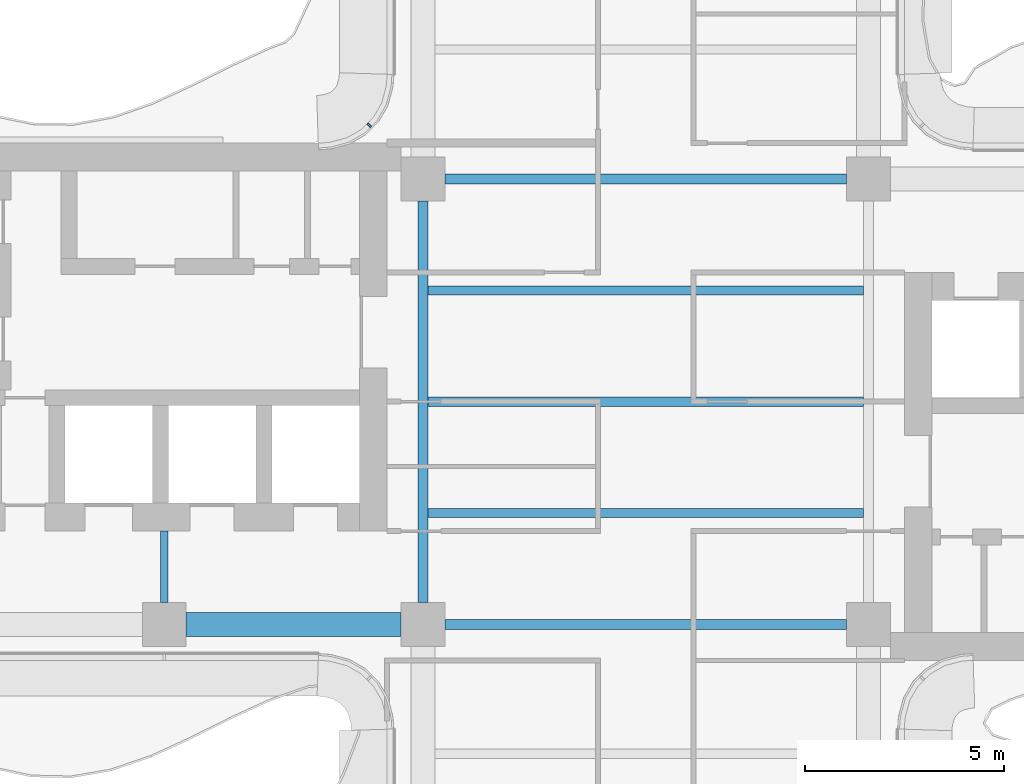
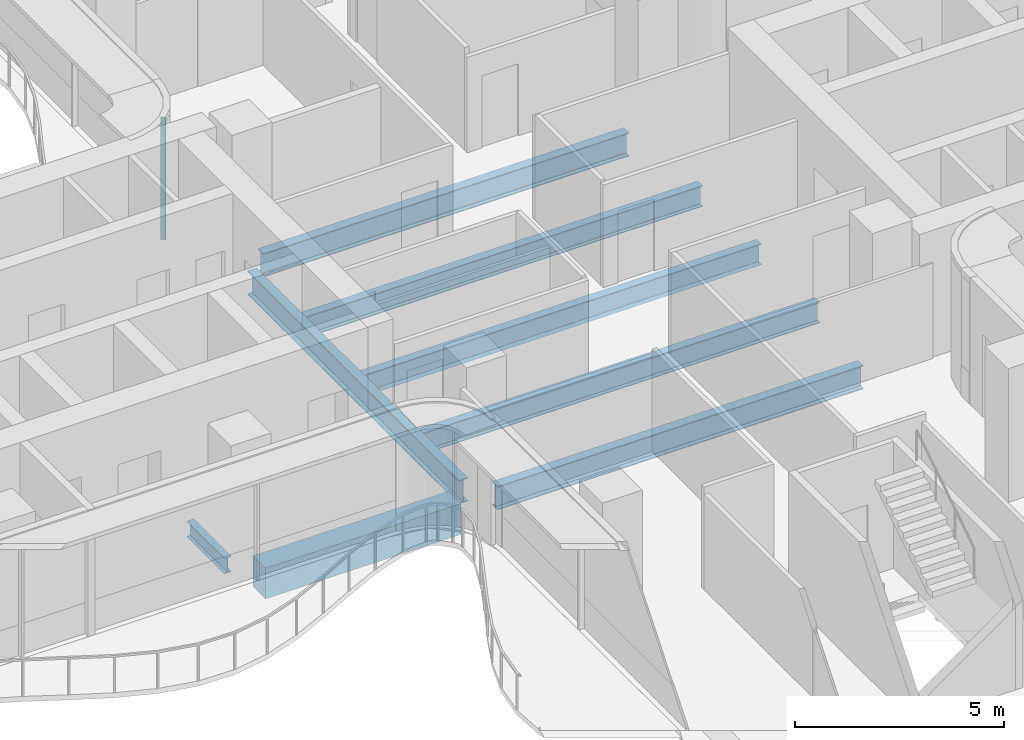
# One storey, part 4 of 17: 8 beams, 1 member, 1 element without a shape of its own.
"""IFC4 building model written with IfcOpenShell, lengths in metres."""

import ifcopenshell
import ifcopenshell.guid

model = None  # the IFC model being written
_history = None  # IfcOwnerHistory: only IFC2X3 demands one
_inside = {}  # id of a spatial element -> (the spatial element, [elements in it])
_under = {}  # id of a project, library or spatial element -> (it, [spatial elements below it])
_declared = {}  # id of a project -> (the project, [libraries it declares])
_typed = {}  # id of a type object -> (the type object, [elements of that type])
_made_of = {}  # id of a material, layer set ... -> (it, [elements and type objects made of it])


def new_model(schema):
    """Start an empty IFC model of exactly this schema.

    Asked for "IFC4X3", IfcOpenShell would pick the latest addendum, in which some entities
    have other attributes; the version numbers below select the first issue.
    IFC2X3 requires an IfcOwnerHistory on every rooted entity: one is made here for all.
    """
    global model, _history
    if schema == "IFC4X3":
        model = ifcopenshell.file(schema_version=(4, 3, 0, 0))
    else:
        model = ifcopenshell.file(schema=schema)
    _inside.clear()
    _under.clear()
    _declared.clear()
    _typed.clear()
    _made_of.clear()
    _history = None
    if model.schema == "IFC2X3":
        org = make("IfcOrganization", Name="unknown")
        user = make(
            "IfcPersonAndOrganization",
            ThePerson=make("IfcPerson", FamilyName="unknown"),
            TheOrganization=org,
        )
        app = make(
            "IfcApplication",
            ApplicationDeveloper=org,
            Version="unknown",
            ApplicationFullName="unknown",
            ApplicationIdentifier="unknown",
        )
        _history = make(
            "IfcOwnerHistory",
            OwningUser=user,
            OwningApplication=app,
            ChangeAction="ADDED",
            CreationDate=0,
        )
    return model


def make(cls, **values):
    """One entity of the class cls with the attributes given. An attribute that is None is left unset."""
    return model.create_entity(
        cls, **{name: value for name, value in values.items() if value is not None}
    )


def rooted(cls, **values):
    """An entity with a GlobalId (a new one), such as an element, a storey or a relation."""
    return make(cls, GlobalId=ifcopenshell.guid.new(), OwnerHistory=_history, **values)


def si_unit(unit_type, name, prefix=None):
    """IfcSIUnit, for example si_unit("LENGTHUNIT", "METRE", prefix="MILLI")."""
    return make("IfcSIUnit", UnitType=unit_type, Prefix=prefix, Name=name)


def assignment(units):
    """IfcUnitAssignment: the units of a project."""
    return None if units is None else make("IfcUnitAssignment", Units=units)


def point(xyz):
    """IfcCartesianPoint."""
    return None if xyz is None else make("IfcCartesianPoint", Coordinates=xyz)


def direction(xyz):
    """IfcDirection."""
    return None if xyz is None else make("IfcDirection", DirectionRatios=xyz)


def frame(location, z_axis=None, x_axis=None):
    """IfcAxis2Placement3D, a coordinate frame: its origin and axes. An axis left out is left unset."""
    return make(
        "IfcAxis2Placement3D",
        Location=point(location),
        Axis=direction(z_axis),
        RefDirection=direction(x_axis),
    )


def frame_2d(location, x_axis=None):
    """IfcAxis2Placement2D, a coordinate frame in the plane: its origin and x axis."""
    return make(
        "IfcAxis2Placement2D", Location=point(location), RefDirection=direction(x_axis)
    )


def origin():
    """The frame at (0, 0, 0) with its axes left unset."""
    return frame((0.0, 0.0, 0.0))


def origin_2d():
    """The frame at (0, 0) in the plane with its x axis left unset."""
    return frame_2d((0.0, 0.0))


def place(relative_to, where):
    """IfcLocalPlacement: puts the frame where relative to a parent placement (None: the world)."""
    return make(
        "IfcLocalPlacement", PlacementRelTo=relative_to, RelativePlacement=where
    )


def context(
    kind, dimensions, precision=None, world=None, true_north=None, identifier=None
):
    """IfcGeometricRepresentationContext, for example the 3D "Model" context."""
    return make(
        "IfcGeometricRepresentationContext",
        ContextIdentifier=identifier,
        ContextType=kind,
        CoordinateSpaceDimension=dimensions,
        Precision=precision,
        WorldCoordinateSystem=world,
        TrueNorth=true_north,
    )


def subcontext(parent, identifier, kind, view, scale=None):
    """IfcGeometricRepresentationSubContext, for example "Body" below "Model"."""
    return make(
        "IfcGeometricRepresentationSubContext",
        ContextIdentifier=identifier,
        ContextType=kind,
        ParentContext=parent,
        TargetScale=scale,
        TargetView=view,
    )


def project(units=None, contexts=None):
    """IfcProject with its units and contexts."""
    return rooted(
        "IfcProject",
        Name="project",
        RepresentationContexts=contexts,
        UnitsInContext=assignment(units),
    )


def spatial(cls, under=None, at=None, **own):
    """A site, building, storey or space (cls), placed at a placement, below another one or the project."""
    s = rooted(cls, ObjectPlacement=at, **own)
    if under is not None:
        _under.setdefault(under.id(), (under, []))[1].append(s)
    return s


def profile(cls, at=None, kind="AREA", **sizes):
    """A parametric profile (cls). Its sizes go by their IFC names, for example OverallWidth=200.0."""
    return make(cls, ProfileType=kind, Position=at, **sizes)


def rectangle(**sizes):
    """IfcRectangleProfileDef."""
    return profile("IfcRectangleProfileDef", **sizes)


def i_section(**sizes):
    """IfcIShapeProfileDef."""
    return profile("IfcIShapeProfileDef", **sizes)


def extrude(swept, where, along, depth):
    """IfcExtrudedAreaSolid: the profile swept, set in the frame where, extruded along a direction by depth."""
    return make(
        "IfcExtrudedAreaSolid",
        SweptArea=swept,
        Position=where,
        ExtrudedDirection=direction(along),
        Depth=depth,
    )


def shape(context_of_items, identifier, shape_type, items):
    """IfcShapeRepresentation: the items that make up one representation, for example the "Body"."""
    return make(
        "IfcShapeRepresentation",
        ContextOfItems=context_of_items,
        RepresentationIdentifier=identifier,
        RepresentationType=shape_type,
        Items=items,
    )


def source(mapping_origin, context_of_items, identifier, shape_type, items):
    """IfcRepresentationMap: a shape defined once, which mapped items show again and again."""
    return make(
        "IfcRepresentationMap",
        MappingOrigin=mapping_origin,
        MappedRepresentation=shape(context_of_items, identifier, shape_type, items),
    )


def transform(
    local_origin,
    x_axis=None,
    y_axis=None,
    z_axis=None,
    scale=None,
    scale2=None,
    scale3=None,
    uniform=True,
):
    """IfcCartesianTransformationOperator3D, or its non-uniform kind. x_axis, y_axis, z_axis: its Axis1, 2, 3."""
    if uniform:
        return make(
            "IfcCartesianTransformationOperator3D",
            Axis1=direction(x_axis),
            Axis2=direction(y_axis),
            LocalOrigin=point(local_origin),
            Scale=scale,
            Axis3=direction(z_axis),
        )
    return make(
        "IfcCartesianTransformationOperator3DnonUniform",
        Axis1=direction(x_axis),
        Axis2=direction(y_axis),
        LocalOrigin=point(local_origin),
        Scale=scale,
        Axis3=direction(z_axis),
        Scale2=scale2,
        Scale3=scale3,
    )


def mapped(mapping_source, mapping_target):
    """IfcMappedItem: shows the shape of a source again, moved by a transform."""
    return make(
        "IfcMappedItem", MappingSource=mapping_source, MappingTarget=mapping_target
    )


def material(Name=None, Category=None):
    """IfcMaterial."""
    return make("IfcMaterial", Name=Name, Category=Category)


def layer(
    of_material, thickness, ventilated=None, Name=None, Category=None, Priority=None
):
    """IfcMaterialLayer: one layer of a wall or slab, of a material (None: an air gap)."""
    return make(
        "IfcMaterialLayer",
        Material=of_material,
        LayerThickness=thickness,
        IsVentilated=ventilated,
        Name=Name,
        Category=Category,
        Priority=Priority,
    )


def layer_set(layers, Name=None):
    """IfcMaterialLayerSet."""
    return make("IfcMaterialLayerSet", MaterialLayers=layers, LayerSetName=Name)


def material_profile(
    of_material, cross_section, Name=None, Category=None, Priority=None
):
    """IfcMaterialProfile: a cross section and its material."""
    return make(
        "IfcMaterialProfile",
        Name=Name,
        Material=of_material,
        Profile=cross_section,
        Priority=Priority,
        Category=Category,
    )


def profile_set(profiles, Name=None, composite=None):
    """IfcMaterialProfileSet."""
    return make(
        "IfcMaterialProfileSet",
        Name=Name,
        MaterialProfiles=profiles,
        CompositeProfile=composite,
    )


def made_of(thing, what):
    """Note that an element or type object is made of a material, layer set ...; save() writes the relation."""
    if what is not None:
        _made_of.setdefault(what.id(), (what, []))[1].append(thing)
    return thing


def type_object(cls, material=None, **own):
    """A type object (cls), such as IfcWallType, which elements share."""
    return made_of(rooted(cls, **own), material)


def element(
    cls,
    number,
    at=None,
    inside=None,
    cuts=None,
    type_object=None,
    material=None,
    context=None,
    identifier="Body",
    shape_type=None,
    held_by="IfcProductDefinitionShape",
    body=None,
    shapes=None,
    **own,
):
    """One element of the class cls, such as IfcWall. Its Tag is "e" and its number.

    at: its placement. inside: the storey or other place that contains it. cuts: it is an
    opening in that element (IfcRelVoidsElement). A single representation is given by context,
    identifier, shape_type and body (its items); several are given by shapes. held_by: the class
    of the entity that holds the representations. save() writes the other relations.
    """
    e = rooted(cls, Tag="e%d" % number, ObjectPlacement=at, **own)
    if body is not None:
        shapes = [shape(context, identifier, shape_type, body)]
    if shapes is not None:
        e.Representation = make(held_by, Representations=shapes)
    if inside is not None:
        _inside.setdefault(inside.id(), (inside, []))[1].append(e)
    if cuts is not None:
        rooted(
            "IfcRelVoidsElement", RelatingBuildingElement=cuts, RelatedOpeningElement=e
        )
    if type_object is not None:
        _typed.setdefault(type_object.id(), (type_object, []))[1].append(e)
    return made_of(e, material)


def aggregate(whole, parts):
    """IfcRelAggregates: a whole, such as a stair, and the parts it consists of."""
    return rooted("IfcRelAggregates", RelatingObject=whole, RelatedObjects=parts)


def save(model, path):
    """Write the relations noted so far, then the file.

    IfcRelAggregates (storeys below a building ...), IfcRelContainedInSpatialStructure (elements
    in a storey), IfcRelDefinesByType, IfcRelAssociatesMaterial and IfcRelDeclares: one each for
    every whole, place, type object, material and project.
    """
    for whole, parts in _under.values():
        aggregate(whole, parts)
    for where, things in _inside.values():
        rooted(
            "IfcRelContainedInSpatialStructure",
            RelatedElements=things,
            RelatingStructure=where,
        )
    for kind, things in _typed.values():
        rooted("IfcRelDefinesByType", RelatedObjects=things, RelatingType=kind)
    for what, things in _made_of.values():
        rooted("IfcRelAssociatesMaterial", RelatedObjects=things, RelatingMaterial=what)
    for by, libraries in _declared.values():
        rooted("IfcRelDeclares", RelatingContext=by, RelatedDefinitions=libraries)
    model.write(path)


model = new_model("IFC4")

# Units and contexts
model_context = context("Model", 3, precision=1e-05, world=origin(), true_north=direction((0.0, 1.0)))
body_context = subcontext(model_context, "Body", "Model", "MODEL_VIEW")
ifc_project = project(units=[si_unit("LENGTHUNIT", "METRE"), si_unit("AREAUNIT", "SQUARE_METRE"), si_unit("VOLUMEUNIT", "CUBIC_METRE"), si_unit("PLANEANGLEUNIT", "RADIAN"), si_unit("MASSUNIT", "GRAM", prefix="KILO")], contexts=[model_context])

# Site, building, storey
site_placement = place(None, origin())
site = spatial("IfcSite", under=ifc_project, at=site_placement, CompositionType="ELEMENT")
building_placement = place(site_placement, origin())
building = spatial("IfcBuilding", under=site, at=building_placement, Name="Trellis Farm Tower", CompositionType="ELEMENT")
storey_placement = place(building_placement, frame((0.0, 0.0, 244.10009765625)))
storey = spatial("IfcBuildingStorey", under=building, at=storey_placement, Name="L54", CompositionType="ELEMENT", Elevation=244.10009765625)

# Beams
ifc_material_1 = material(Name="Steel S355", Category="steel")
ifc_material_profile_1 = material_profile(ifc_material_1, i_section(OverallWidth=0.22900390625, OverallDepth=0.6123046875, WebThickness=0.011962890625, FlangeThickness=0.01953125, FilletRadius=0.0126953125, at=origin_2d()), Name="UB 610x229x125")
ifc_profile_set_1 = profile_set([ifc_material_profile_1], Name="Steel S355")
beam_type_1 = type_object("IfcBeamType", Name="UB 610x229x125 joist", PredefinedType="JOIST", material=ifc_profile_set_1)
shared_shape_1 = source(origin(), body_context, "Body", "SweptSolid", [
    extrude(i_section(OverallWidth=0.22900390625, OverallDepth=0.6123046875, WebThickness=0.011962890625, FlangeThickness=0.01953125, FilletRadius=0.0126953125, at=origin_2d()), origin(), (0.0, 0.0, 1.0), 10.9462890625),
])
for number, where, z_axis, x_axis, name in (
    (1, (-5.47314453125, -2.800048828125, -0.506103515625), (1.0, 0.0, 0.0), (0.0, 1.0, 0.0), "Floor beam"),
    (2, (-5.47314453125, 0.0, -0.506103515625), (1.0, 0.0, 0.0), (0.0, 1.0, 0.0), "Floor beam"),
    (3, (-5.47314453125, 2.800048828125, -0.506103515625), (1.0, 0.0, 0.0), (0.0, 1.0, 0.0), "Floor beam"),
):
    element("IfcBeam", number, at=place(storey_placement, frame(where, z_axis=z_axis, x_axis=x_axis)), inside=storey, type_object=beam_type_1, Name=name, PredefinedType="JOIST", context=body_context, shape_type="MappedRepresentation", body=[
        mapped(shared_shape_1, transform((0.0, 0.0, 0.0))),
    ])
ifc_material_profile_2 = material_profile(ifc_material_1, i_section(OverallWidth=0.253662109375, OverallDepth=0.68359375, WebThickness=0.012451171875, FlangeThickness=0.021728515625, FilletRadius=0.01513671875, at=origin_2d()), Name="UB 686x254x140")
ifc_profile_set_2 = profile_set([ifc_material_profile_2], Name="Steel S355")
beam_type_2 = type_object("IfcBeamType", Name="UB 686x254x140", PredefinedType="BEAM", material=ifc_profile_set_2)
shared_shape_2 = source(origin(), body_context, "Body", "SweptSolid", [
    extrude(i_section(OverallWidth=0.253662109375, OverallDepth=0.68359375, WebThickness=0.012451171875, FlangeThickness=0.021728515625, FilletRadius=0.01513671875, at=origin_2d()), origin(), (0.0, 0.0, 1.0), 10.10009765625),
])
for number, where, z_axis, x_axis, name in (
    (4, (-5.050048828125, -5.60009765625, -0.541748046875), (1.0, 0.0, 0.0), (0.0, 1.0, 0.0), "Girder"),
    (5, (-5.050048828125, 5.60009765625, -0.541748046875), (1.0, 0.0, 0.0), (0.0, 1.0, 0.0), "Girder"),
    (6, (-5.60009765625, -5.050048828125, -0.541748046875), (0.0, 1.0, 0.0), (-1.0, 0.0, 0.0), "Girder"),
):
    element("IfcBeam", number, at=place(storey_placement, frame(where, z_axis=z_axis, x_axis=x_axis)), inside=storey, type_object=beam_type_2, Name=name, PredefinedType="BEAM", context=body_context, shape_type="MappedRepresentation", body=[
        mapped(shared_shape_2, transform((0.0, 0.0, 0.0))),
    ])
ifc_material_profile_3 = material_profile(ifc_material_1, i_section(OverallWidth=0.1904296875, OverallDepth=0.45703125, WebThickness=0.009033203125, FlangeThickness=0.014404296875, FilletRadius=0.01025390625, at=origin_2d()), Name="UB 457x191x74")
ifc_profile_set_3 = profile_set([ifc_material_profile_3], Name="Steel S355")
beam_type_3 = type_object("IfcBeamType", Name="UB 457x191x74", PredefinedType="BEAM", material=ifc_profile_set_3)
shared_shape_3 = source(origin(), body_context, "Body", "SweptSolid", [
    extrude(i_section(OverallWidth=0.1904296875, OverallDepth=0.45703125, WebThickness=0.009033203125, FlangeThickness=0.014404296875, FilletRadius=0.01025390625, at=origin_2d()), origin(), (0.0, 0.0, 1.0), 1.800048828125),
])
beam_1_placement = place(storey_placement, frame((-12.10009765625, -5.050048828125, -0.4287109375), z_axis=(0.0, 1.0, 0.0), x_axis=(-1.0, 0.0, 0.0)))
element("IfcBeam", 7, at=beam_1_placement, inside=storey, type_object=beam_type_3, Name="Girder", PredefinedType="BEAM", context=body_context, shape_type="MappedRepresentation", body=[
    mapped(shared_shape_3, transform((0.0, 0.0, 0.0))),
])
ifc_material_2 = material(Name="Concrete C60/75", Category="concrete")
ifc_material_profile_4 = material_profile(ifc_material_2, rectangle(XDim=0.60009765625, YDim=0.89990234375, at=origin_2d()), Name="RC spandrel beam 600x900 C60/75")
ifc_profile_set_4 = profile_set([ifc_material_profile_4], Name="Concrete C60/75")
beam_type_4 = type_object("IfcBeamType", Name="RC spandrel beam 600x900 C60/75", PredefinedType="SPANDREL", material=ifc_profile_set_4)
shared_shape_4 = source(origin(), body_context, "Body", "SweptSolid", [
    extrude(rectangle(XDim=0.60009765625, YDim=0.89990234375, at=origin_2d()), origin(), (0.0, 0.0, 1.0), 5.400146484375),
])
beam_2_placement = place(storey_placement, frame((-11.550048828125, -5.60009765625, -0.650146484375), z_axis=(1.0, 0.0, 0.0), x_axis=(0.0, 1.0, 0.0)))
element("IfcBeam", 8, at=beam_2_placement, inside=storey, type_object=beam_type_4, Name="Girder", PredefinedType="SPANDREL", context=body_context, shape_type="MappedRepresentation", body=[
    mapped(shared_shape_4, transform((0.0, 0.0, 0.0))),
])

# Curtain wall, member
ifc_material_3 = material(Name="Aluminium and glass curtain wall", Category="aluminium")
ifc_layer = layer(ifc_material_3, 0.166015625)
ifc_layer_set = layer_set([ifc_layer], Name="WINTER GARDEN CURTAIN WALL CW3")
curtain_wall_type = type_object("IfcCurtainWallType", Name="WINTER GARDEN CURTAIN WALL CW3", PredefinedType="NOTDEFINED", material=ifc_layer_set)
curtain_wall_placement = place(storey_placement, origin())
curtain_wall = element("IfcCurtainWall", 9, at=curtain_wall_placement, inside=storey, type_object=curtain_wall_type, Name="CW3 004", PredefinedType="NOTDEFINED")
ifc_material_4 = material(Name="Aluminium extrusion 6063-T6", Category="aluminium")
ifc_material_profile_5 = material_profile(ifc_material_4, rectangle(XDim=0.050048828125, YDim=0.1201171875, at=origin_2d()), Name="MULLION 50x120")
ifc_profile_set_5 = profile_set([ifc_material_profile_5], Name="Aluminium extrusion 6063-T6")
member_type = type_object("IfcMemberType", Name="CW3 MULLION 50x120", PredefinedType="MULLION", material=ifc_profile_set_5)
shared_shape_5 = source(origin(), body_context, "Body", "SweptSolid", [
    extrude(rectangle(XDim=0.050048828125, YDim=0.1201171875, at=origin_2d()), origin(), (0.0, 0.0, 1.0), 3.5498046875),
])
member_placement = place(storey_placement, frame((-6.953125, 6.953125, 0.0), z_axis=(0.0, 0.0, 1.0), x_axis=(-0.707106781187, -0.707106781187, 0.0)))
member = element("IfcMember", 10, at=member_placement, type_object=member_type, Name="MU3 004-01", PredefinedType="MULLION", context=body_context, shape_type="MappedRepresentation", body=[
    mapped(shared_shape_5, transform((0.0, 0.0, 0.0))),
])
aggregate(curtain_wall, [member])

save(model, "model.ifc")
